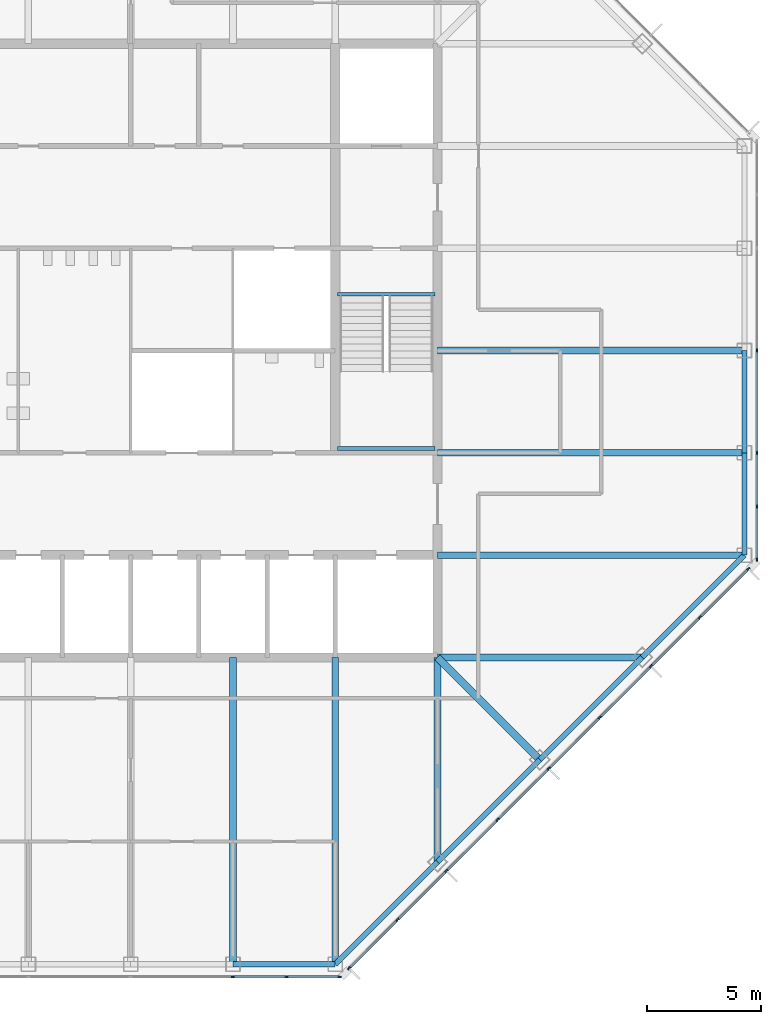
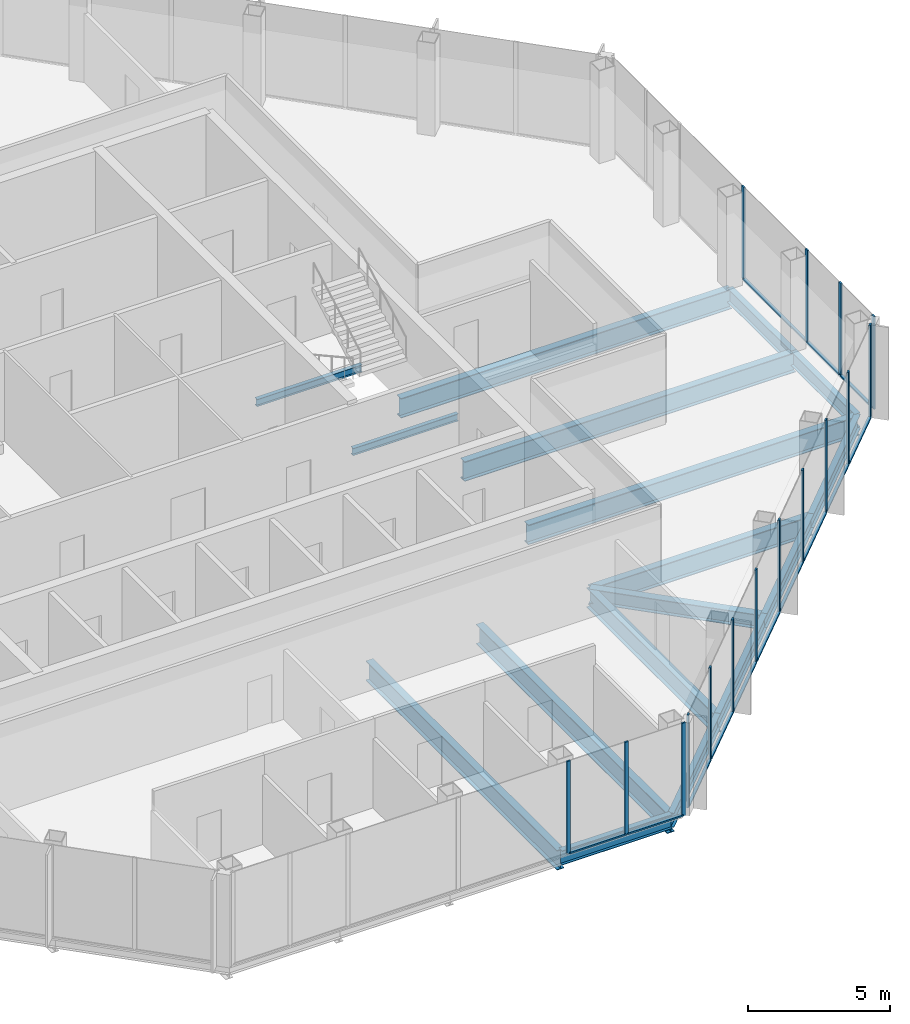
# One storey, part 4 of 14: 29 members, 17 beams, 3 elements without a shape of their own.
"""IFC4 building model written with IfcOpenShell, lengths in metres."""

from ifc_helpers import new_model, si_unit, direction, frame, origin, origin_2d, place, context, subcontext, project, spatial, rectangle, i_section, extrude, material, material_profile, profile_set, type_object, element, aggregate, save


model = new_model("IFC4")

# Units and contexts
model_context = context("Model", 3, precision=1e-05, world=origin(), true_north=direction((0.0, 1.0)))
body_context = subcontext(model_context, "Body", "Model", "MODEL_VIEW")
ifc_project = project(units=[si_unit("LENGTHUNIT", "METRE"), si_unit("AREAUNIT", "SQUARE_METRE"), si_unit("VOLUMEUNIT", "CUBIC_METRE"), si_unit("PLANEANGLEUNIT", "RADIAN"), si_unit("MASSUNIT", "GRAM", prefix="KILO")], contexts=[model_context])

# Site, building, storey
site_placement = place(None, origin())
site = spatial("IfcSite", under=ifc_project, at=site_placement, CompositionType="ELEMENT")
building_placement = place(site_placement, origin())
building = spatial("IfcBuilding", under=site, at=building_placement, Name="Corais Broadcast Tower", CompositionType="ELEMENT")
storey_placement = place(building_placement, frame((0.0, 0.0, 250.60009765625)))
storey = spatial("IfcBuildingStorey", under=building, at=storey_placement, Name="L58", CompositionType="ELEMENT", Elevation=250.60009765625)

# Beams
ifc_material_1 = material(Name="Steel ASTM A572 Grade 50", Category="steel")
ifc_material_profile_1 = material_profile(ifc_material_1, i_section(OverallWidth=0.323974609375, OverallDepth=0.611083984375, WebThickness=0.0126953125, FlangeThickness=0.01904296875, at=origin_2d()), Name="W610x155")
ifc_profile_set_1 = profile_set([ifc_material_profile_1], Name="Steel ASTM A572 Grade 50")
beam_type_1 = type_object("IfcBeamType", Name="Corner diagonal W610x155", PredefinedType="BEAM", material=ifc_profile_set_1)
beam_1_placement = place(storey_placement, frame((45.0, 9.0, -0.465576171875), z_axis=(-0.707106781187, 0.707106781187, 0.0), x_axis=(-0.707106781187, -0.707106781187, 0.0)))
element("IfcBeam", 1, at=beam_1_placement, inside=storey, type_object=beam_type_1, Name="B6 C/13 to D/12", PredefinedType="BEAM", context=body_context, shape_type="SweptSolid", body=[
    extrude(i_section(OverallWidth=0.323974609375, OverallDepth=0.611083984375, WebThickness=0.0126953125, FlangeThickness=0.01904296875, at=origin_2d()), origin(), (0.0, 0.0, 1.0), 6.364013671875),
])
ifc_material_2 = material(Name="Steel ASTM A572 Grade 50", Category="steel")
ifc_material_profile_2 = material_profile(ifc_material_2, i_section(OverallWidth=0.2939453125, OverallDepth=0.85107421875, WebThickness=0.01611328125, FlangeThickness=0.02685546875, at=origin_2d()), Name="W840x226")
ifc_profile_set_2 = profile_set([ifc_material_profile_2], Name="Steel ASTM A572 Grade 50")
beam_type_2 = type_object("IfcBeamType", Name="Floor beam W840x226", PredefinedType="BEAM", material=ifc_profile_set_2)
for number, where, z_axis, x_axis, name in (
    (2, (31.5, 0.0, -0.585693359375), (0.0, 1.0, 0.0), (-1.0, 0.0, 0.0), "B1 A/10 to D/10"),
    (3, (36.0, 0.0, -0.585693359375), (0.0, 1.0, 0.0), (-1.0, 0.0, 0.0), "B1 A/11 to D/11"),
):
    element("IfcBeam", number, at=place(storey_placement, frame(where, z_axis=z_axis, x_axis=x_axis)), inside=storey, type_object=beam_type_2, Name=name, PredefinedType="BEAM", context=body_context, shape_type="SweptSolid", body=[
        extrude(i_section(OverallWidth=0.2939453125, OverallDepth=0.85107421875, WebThickness=0.01611328125, FlangeThickness=0.02685546875, at=origin_2d()), origin(), (0.0, 0.0, 1.0), 13.5),
    ])
for number, where, z_axis, x_axis, name in (
    (4, (40.5, 4.5, -0.585693359375), (0.0, 1.0, 0.0), (-1.0, 0.0, 0.0), "B1 B/12 to D/12"),
    (5, (49.5, 13.5, -0.585693359375), (-1.0, 0.0, 0.0), (0.0, -1.0, 0.0), "B1 D/14 to D/12"),
):
    element("IfcBeam", number, at=place(storey_placement, frame(where, z_axis=z_axis, x_axis=x_axis)), inside=storey, type_object=beam_type_2, Name=name, PredefinedType="BEAM", context=body_context, shape_type="SweptSolid", body=[
        extrude(i_section(OverallWidth=0.2939453125, OverallDepth=0.85107421875, WebThickness=0.01611328125, FlangeThickness=0.02685546875, at=origin_2d()), origin(), (0.0, 0.0, 1.0), 9.0),
    ])
for number, where, z_axis, x_axis, name in (
    (6, (54.0, 18.0, -0.585693359375), (-1.0, 0.0, 0.0), (0.0, -1.0, 0.0), "B1 E/15 to E/12"),
    (7, (54.0, 22.5, -0.585693359375), (-1.0, 0.0, 0.0), (0.0, -1.0, 0.0), "B1 F/15 to F/12"),
    (8, (54.0, 27.0, -0.585693359375), (-1.0, 0.0, 0.0), (0.0, -1.0, 0.0), "B1 G/15 to G/12"),
):
    element("IfcBeam", number, at=place(storey_placement, frame(where, z_axis=z_axis, x_axis=x_axis)), inside=storey, type_object=beam_type_2, Name=name, PredefinedType="BEAM", context=body_context, shape_type="SweptSolid", body=[
        extrude(i_section(OverallWidth=0.2939453125, OverallDepth=0.85107421875, WebThickness=0.01611328125, FlangeThickness=0.02685546875, at=origin_2d()), origin(), (0.0, 0.0, 1.0), 13.5),
    ])
ifc_material_3 = material(Name="Steel ASTM A572 Grade 50", Category="steel")
ifc_material_profile_3 = material_profile(ifc_material_3, i_section(OverallWidth=0.1650390625, OverallDepth=0.31005859375, WebThickness=0.005859375, FlangeThickness=0.009765625, at=origin_2d()), Name="W310x38.7")
ifc_profile_set_3 = profile_set([ifc_material_profile_3], Name="Steel ASTM A572 Grade 50")
beam_type_3 = type_object("IfcBeamType", Name="Landing trimmer W310x38.7", PredefinedType="BEAM", material=ifc_profile_set_3)
for number, where, z_axis, x_axis, name in (
    (9, (36.10009765625, 29.47509765625, -0.35498046875), (1.0, 0.0, 0.0), (0.0, 1.0, 0.0), "LT1 stair B landing trimmer L58"),
    (10, (36.10009765625, 22.68994140625, 1.64501953125), (1.0, 0.0, 0.0), (0.0, 1.0, 0.0), "LT1 stair B half landing trimmer L58"),
):
    element("IfcBeam", number, at=place(storey_placement, frame(where, z_axis=z_axis, x_axis=x_axis)), inside=storey, type_object=beam_type_3, Name=name, PredefinedType="BEAM", context=body_context, shape_type="SweptSolid", body=[
        extrude(i_section(OverallWidth=0.1650390625, OverallDepth=0.31005859375, WebThickness=0.005859375, FlangeThickness=0.009765625, at=origin_2d()), origin(), (0.0, 0.0, 1.0), 4.2998046875),
    ])

# Curtain wall, members
ifc_material_4 = material(Name="Aluminium and glass", Category="aluminium")
curtain_wall_type = type_object("IfcCurtainWallType", Name="Unitised fritted curtain wall CW3", PredefinedType="NOTDEFINED", material=ifc_material_4)
curtain_wall_1_placement = place(storey_placement, origin())
curtain_wall_1 = element("IfcCurtainWall", 11, at=curtain_wall_1_placement, inside=storey, type_object=curtain_wall_type, Name="CW3 curtain wall L58 6", PredefinedType="NOTDEFINED")
ifc_material_5 = material(Name="Aluminium 6063-T6", Category="aluminium")
ifc_material_profile_4 = material_profile(ifc_material_5, rectangle(XDim=0.06494140625, YDim=0.159912109375, at=origin_2d()), Name="Mullion CW3 65x160")
ifc_profile_set_4 = profile_set([ifc_material_profile_4], Name="Aluminium 6063-T6")
member_type_1 = type_object("IfcMemberType", Name="Mullion CW3 65x160", PredefinedType="MULLION", material=ifc_profile_set_4)
member_1_placement = place(storey_placement, frame((54.550048828125, 27.0, 0.0), z_axis=(0.0, 0.0, 1.0), x_axis=(1.0, 0.0, 0.0)))
member_1 = element("IfcMember", 12, at=member_1_placement, type_object=member_type_1, Name="CW3 mullion 4", PredefinedType="MULLION", context=body_context, shape_type="SweptSolid", body=[
    extrude(rectangle(XDim=0.06494140625, YDim=0.159912109375, at=origin_2d()), origin(), (0.0, 0.0, 1.0), 4.0),
])
member_2_placement = place(storey_placement, frame((54.550048828125, 22.5, 0.0), z_axis=(0.0, 0.0, 1.0), x_axis=(1.0, 0.0, 0.0)))
member_2 = element("IfcMember", 13, at=member_2_placement, type_object=member_type_1, Name="CW3 mullion 5", PredefinedType="MULLION", context=body_context, shape_type="SweptSolid", body=[
    extrude(rectangle(XDim=0.06494140625, YDim=0.159912109375, at=origin_2d()), origin(), (0.0, 0.0, 1.0), 4.0),
])
member_3_placement = place(storey_placement, frame((54.550048828125, 20.135986328125, 0.0), z_axis=(0.0, 0.0, 1.0), x_axis=(1.0, 0.0, 0.0)))
member_3 = element("IfcMember", 14, at=member_3_placement, type_object=member_type_1, Name="CW3 mullion 6", PredefinedType="MULLION", context=body_context, shape_type="SweptSolid", body=[
    extrude(rectangle(XDim=0.06494140625, YDim=0.159912109375, at=origin_2d()), origin(), (0.0, 0.0, 1.0), 4.0),
])
member_4_placement = place(storey_placement, frame((54.550048828125, 17.8046875, 0.0), z_axis=(0.0, 0.0, 1.0), x_axis=(1.0, 0.0, 0.0)))
member_4 = element("IfcMember", 15, at=member_4_placement, type_object=member_type_1, Name="CW3 mullion 7", PredefinedType="MULLION", context=body_context, shape_type="SweptSolid", body=[
    extrude(rectangle(XDim=0.06494140625, YDim=0.159912109375, at=origin_2d()), origin(), (0.0, 0.0, 1.0), 4.0),
])

curtain_wall_2_placement = place(storey_placement, origin())
curtain_wall_2 = element("IfcCurtainWall", 16, at=curtain_wall_2_placement, inside=storey, type_object=curtain_wall_type, Name="CW3 curtain wall L58 7", PredefinedType="NOTDEFINED")
member_5_placement = place(storey_placement, frame((54.17333984375, 17.3955078125, 0.0), z_axis=(0.0, 0.0, 1.0), x_axis=(0.707106781187, -0.707106781187, 0.0)))
member_5 = element("IfcMember", 17, at=member_5_placement, type_object=member_type_1, Name="CW3 mullion 1", PredefinedType="MULLION", context=body_context, shape_type="SweptSolid", body=[
    extrude(rectangle(XDim=0.06494140625, YDim=0.159912109375, at=origin_2d()), origin(), (0.0, 0.0, 1.0), 4.0),
])
member_6_placement = place(storey_placement, frame((52.042724609375, 15.264892578125, 0.0), z_axis=(0.0, 0.0, 1.0), x_axis=(0.707106781187, -0.707106781187, 0.0)))
member_6 = element("IfcMember", 18, at=member_6_placement, type_object=member_type_1, Name="CW3 mullion 2", PredefinedType="MULLION", context=body_context, shape_type="SweptSolid", body=[
    extrude(rectangle(XDim=0.06494140625, YDim=0.159912109375, at=origin_2d()), origin(), (0.0, 0.0, 1.0), 4.0),
])
member_7_placement = place(storey_placement, frame((49.888916015625, 13.111083984375, 0.0), z_axis=(0.0, 0.0, 1.0), x_axis=(0.707106781187, -0.707106781187, 0.0)))
member_7 = element("IfcMember", 19, at=member_7_placement, type_object=member_type_1, Name="CW3 mullion 3", PredefinedType="MULLION", context=body_context, shape_type="SweptSolid", body=[
    extrude(rectangle(XDim=0.06494140625, YDim=0.159912109375, at=origin_2d()), origin(), (0.0, 0.0, 1.0), 4.0),
])
member_8_placement = place(storey_placement, frame((47.638916015625, 10.861083984375, 0.0), z_axis=(0.0, 0.0, 1.0), x_axis=(0.707106781187, -0.707106781187, 0.0)))
member_8 = element("IfcMember", 20, at=member_8_placement, type_object=member_type_1, Name="CW3 mullion 4", PredefinedType="MULLION", context=body_context, shape_type="SweptSolid", body=[
    extrude(rectangle(XDim=0.06494140625, YDim=0.159912109375, at=origin_2d()), origin(), (0.0, 0.0, 1.0), 4.0),
])
member_9_placement = place(storey_placement, frame((45.388916015625, 8.611083984375, 0.0), z_axis=(0.0, 0.0, 1.0), x_axis=(0.707106781187, -0.707106781187, 0.0)))
member_9 = element("IfcMember", 21, at=member_9_placement, type_object=member_type_1, Name="CW3 mullion 5", PredefinedType="MULLION", context=body_context, shape_type="SweptSolid", body=[
    extrude(rectangle(XDim=0.06494140625, YDim=0.159912109375, at=origin_2d()), origin(), (0.0, 0.0, 1.0), 4.0),
])
member_10_placement = place(storey_placement, frame((43.138916015625, 6.361083984375, 0.0), z_axis=(0.0, 0.0, 1.0), x_axis=(0.707106781187, -0.707106781187, 0.0)))
member_10 = element("IfcMember", 22, at=member_10_placement, type_object=member_type_1, Name="CW3 mullion 6", PredefinedType="MULLION", context=body_context, shape_type="SweptSolid", body=[
    extrude(rectangle(XDim=0.06494140625, YDim=0.159912109375, at=origin_2d()), origin(), (0.0, 0.0, 1.0), 4.0),
])
member_11_placement = place(storey_placement, frame((40.888916015625, 4.111083984375, 0.0), z_axis=(0.0, 0.0, 1.0), x_axis=(0.707106781187, -0.707106781187, 0.0)))
member_11 = element("IfcMember", 23, at=member_11_placement, type_object=member_type_1, Name="CW3 mullion 7", PredefinedType="MULLION", context=body_context, shape_type="SweptSolid", body=[
    extrude(rectangle(XDim=0.06494140625, YDim=0.159912109375, at=origin_2d()), origin(), (0.0, 0.0, 1.0), 4.0),
])
member_12_placement = place(storey_placement, frame((38.735107421875, 1.957275390625, 0.0), z_axis=(0.0, 0.0, 1.0), x_axis=(0.707106781187, -0.707106781187, 0.0)))
member_12 = element("IfcMember", 24, at=member_12_placement, type_object=member_type_1, Name="CW3 mullion 8", PredefinedType="MULLION", context=body_context, shape_type="SweptSolid", body=[
    extrude(rectangle(XDim=0.06494140625, YDim=0.159912109375, at=origin_2d()), origin(), (0.0, 0.0, 1.0), 4.0),
])
member_13_placement = place(storey_placement, frame((36.6044921875, -0.17333984375, 0.0), z_axis=(0.0, 0.0, 1.0), x_axis=(0.707106781187, -0.707106781187, 0.0)))
member_13 = element("IfcMember", 25, at=member_13_placement, type_object=member_type_1, Name="CW3 mullion 9", PredefinedType="MULLION", context=body_context, shape_type="SweptSolid", body=[
    extrude(rectangle(XDim=0.06494140625, YDim=0.159912109375, at=origin_2d()), origin(), (0.0, 0.0, 1.0), 4.0),
])

curtain_wall_3_placement = place(storey_placement, origin())
curtain_wall_3 = element("IfcCurtainWall", 26, at=curtain_wall_3_placement, inside=storey, type_object=curtain_wall_type, Name="CW3 curtain wall L58 8", PredefinedType="NOTDEFINED")
member_14_placement = place(storey_placement, frame((36.1953125, -0.550048828125, 0.0), z_axis=(0.0, 0.0, 1.0), x_axis=(0.0, -1.0, 0.0)))
member_14 = element("IfcMember", 27, at=member_14_placement, type_object=member_type_1, Name="CW3 mullion 1", PredefinedType="MULLION", context=body_context, shape_type="SweptSolid", body=[
    extrude(rectangle(XDim=0.06494140625, YDim=0.159912109375, at=origin_2d()), origin(), (0.0, 0.0, 1.0), 4.0),
])
member_15_placement = place(storey_placement, frame((33.864013671875, -0.550048828125, 0.0), z_axis=(0.0, 0.0, 1.0), x_axis=(0.0, -1.0, 0.0)))
member_15 = element("IfcMember", 28, at=member_15_placement, type_object=member_type_1, Name="CW3 mullion 2", PredefinedType="MULLION", context=body_context, shape_type="SweptSolid", body=[
    extrude(rectangle(XDim=0.06494140625, YDim=0.159912109375, at=origin_2d()), origin(), (0.0, 0.0, 1.0), 4.0),
])
member_16_placement = place(storey_placement, frame((31.5, -0.550048828125, 0.0), z_axis=(0.0, 0.0, 1.0), x_axis=(0.0, -1.0, 0.0)))
member_16 = element("IfcMember", 29, at=member_16_placement, type_object=member_type_1, Name="CW3 mullion 3", PredefinedType="MULLION", context=body_context, shape_type="SweptSolid", body=[
    extrude(rectangle(XDim=0.06494140625, YDim=0.159912109375, at=origin_2d()), origin(), (0.0, 0.0, 1.0), 4.0),
])

# Beams
ifc_material_6 = material(Name="Steel ASTM A572 Grade 50", Category="steel")
ifc_material_profile_5 = material_profile(ifc_material_6, i_section(OverallWidth=0.22998046875, OverallDepth=0.616943359375, WebThickness=0.01318359375, FlangeThickness=0.022216796875, at=origin_2d()), Name="W610x140")
ifc_profile_set_5 = profile_set([ifc_material_profile_5], Name="Steel ASTM A572 Grade 50")
beam_type_4 = type_object("IfcBeamType", Name="Spandrel W610x140", PredefinedType="BEAM", material=ifc_profile_set_5)
beam_2_placement = place(storey_placement, frame((31.5, 0.0, -0.468505859375), z_axis=(1.0, 0.0, 0.0), x_axis=(0.0, 1.0, 0.0)))
element("IfcBeam", 30, at=beam_2_placement, inside=storey, type_object=beam_type_4, Name="SB3 A/10 to A/11", PredefinedType="BEAM", context=body_context, shape_type="SweptSolid", body=[
    extrude(i_section(OverallWidth=0.22998046875, OverallDepth=0.616943359375, WebThickness=0.01318359375, FlangeThickness=0.022216796875, at=origin_2d()), origin(), (0.0, 0.0, 1.0), 4.5),
])
for number, where, z_axis, x_axis, name in (
    (31, (36.0, 0.0, -0.468505859375), (0.707106781187, 0.707106781187, 0.0), (-0.707106781187, 0.707106781187, 0.0), "SB3 A/11 to B/12"),
    (32, (40.5, 4.5, -0.468505859375), (0.707106781187, 0.707106781187, 0.0), (-0.707106781187, 0.707106781187, 0.0), "SB3 B/12 to C/13"),
    (33, (45.0, 9.0, -0.468505859375), (0.707106781187, 0.707106781187, 0.0), (-0.707106781187, 0.707106781187, 0.0), "SB3 C/13 to D/14"),
    (34, (49.5, 13.5, -0.468505859375), (0.707106781187, 0.707106781187, 0.0), (-0.707106781187, 0.707106781187, 0.0), "SB3 D/14 to E/15"),
):
    element("IfcBeam", number, at=place(storey_placement, frame(where, z_axis=z_axis, x_axis=x_axis)), inside=storey, type_object=beam_type_4, Name=name, PredefinedType="BEAM", context=body_context, shape_type="SweptSolid", body=[
        extrude(i_section(OverallWidth=0.22998046875, OverallDepth=0.616943359375, WebThickness=0.01318359375, FlangeThickness=0.022216796875, at=origin_2d()), origin(), (0.0, 0.0, 1.0), 6.364013671875),
    ])
for number, where, z_axis, x_axis, name in (
    (35, (54.0, 18.0, -0.468505859375), (0.0, 1.0, 0.0), (-1.0, 0.0, 0.0), "SB3 E/15 to F/15"),
    (36, (54.0, 22.5, -0.468505859375), (0.0, 1.0, 0.0), (-1.0, 0.0, 0.0), "SB3 F/15 to G/15"),
):
    element("IfcBeam", number, at=place(storey_placement, frame(where, z_axis=z_axis, x_axis=x_axis)), inside=storey, type_object=beam_type_4, Name=name, PredefinedType="BEAM", context=body_context, shape_type="SweptSolid", body=[
        extrude(i_section(OverallWidth=0.22998046875, OverallDepth=0.616943359375, WebThickness=0.01318359375, FlangeThickness=0.022216796875, at=origin_2d()), origin(), (0.0, 0.0, 1.0), 4.5),
    ])

# Member
ifc_material_7 = material(Name="Aluminium 6063-T6", Category="aluminium")
ifc_material_profile_6 = material_profile(ifc_material_7, rectangle(XDim=0.1201171875, YDim=0.06494140625, at=origin_2d()), Name="Transom CW3 65x120")
ifc_profile_set_6 = profile_set([ifc_material_profile_6], Name="Aluminium 6063-T6")
member_type_2 = type_object("IfcMemberType", Name="Transom CW3 65x120", PredefinedType="USERDEFINED", material=ifc_profile_set_6)
member_17_placement = place(storey_placement, frame((54.550048828125, 26.967529296875, 0.032470703125), z_axis=(0.0, -1.0, 0.0), x_axis=(1.0, 0.0, 0.0)))
member_17 = element("IfcMember", 37, at=member_17_placement, type_object=member_type_2, Name="CW3 transom 4.1", ObjectType="TRANSOM", PredefinedType="USERDEFINED", context=body_context, shape_type="SweptSolid", body=[
    extrude(rectangle(XDim=0.1201171875, YDim=0.06494140625, at=origin_2d()), origin(), (0.0, 0.0, 1.0), 4.43505859375),
])

member_18_placement = place(storey_placement, frame((54.550048828125, 22.467529296875, 0.032470703125), z_axis=(0.0, -1.0, 0.0), x_axis=(1.0, 0.0, 0.0)))
member_18 = element("IfcMember", 38, at=member_18_placement, type_object=member_type_2, Name="CW3 transom 5.1", ObjectType="TRANSOM", PredefinedType="USERDEFINED", context=body_context, shape_type="SweptSolid", body=[
    extrude(rectangle(XDim=0.1201171875, YDim=0.06494140625, at=origin_2d()), origin(), (0.0, 0.0, 1.0), 2.298828125),
])

member_19_placement = place(storey_placement, frame((54.550048828125, 20.103515625, 0.032470703125), z_axis=(0.0, -1.0, 0.0), x_axis=(1.0, 0.0, 0.0)))
member_19 = element("IfcMember", 39, at=member_19_placement, type_object=member_type_2, Name="CW3 transom 6.1", ObjectType="TRANSOM", PredefinedType="USERDEFINED", context=body_context, shape_type="SweptSolid", body=[
    extrude(rectangle(XDim=0.1201171875, YDim=0.06494140625, at=origin_2d()), origin(), (0.0, 0.0, 1.0), 2.266357421875),
])

aggregate(curtain_wall_1, [member_1, member_2, member_3, member_4, member_17, member_18, member_19])

member_20_placement = place(storey_placement, frame((54.150390625, 17.37255859375, 0.032470703125), z_axis=(-0.707106781187, -0.707106781187, 0.0), x_axis=(0.707106781187, -0.707106781187, 0.0)))
member_20 = element("IfcMember", 40, at=member_20_placement, type_object=member_type_2, Name="CW3 transom 1.1", ObjectType="TRANSOM", PredefinedType="USERDEFINED", context=body_context, shape_type="SweptSolid", body=[
    extrude(rectangle(XDim=0.1201171875, YDim=0.06494140625, at=origin_2d()), origin(), (0.0, 0.0, 1.0), 2.9482421875),
])

member_21_placement = place(storey_placement, frame((52.019775390625, 15.241943359375, 0.032470703125), z_axis=(-0.707106781187, -0.707106781187, 0.0), x_axis=(0.707106781187, -0.707106781187, 0.0)))
member_21 = element("IfcMember", 41, at=member_21_placement, type_object=member_type_2, Name="CW3 transom 2.1", ObjectType="TRANSOM", PredefinedType="USERDEFINED", context=body_context, shape_type="SweptSolid", body=[
    extrude(rectangle(XDim=0.1201171875, YDim=0.06494140625, at=origin_2d()), origin(), (0.0, 0.0, 1.0), 2.98095703125),
])

member_22_placement = place(storey_placement, frame((49.865966796875, 13.088134765625, 0.032470703125), z_axis=(-0.707106781187, -0.707106781187, 0.0), x_axis=(0.707106781187, -0.707106781187, 0.0)))
member_22 = element("IfcMember", 42, at=member_22_placement, type_object=member_type_2, Name="CW3 transom 3.1", ObjectType="TRANSOM", PredefinedType="USERDEFINED", context=body_context, shape_type="SweptSolid", body=[
    extrude(rectangle(XDim=0.1201171875, YDim=0.06494140625, at=origin_2d()), origin(), (0.0, 0.0, 1.0), 3.1171875),
])

member_23_placement = place(storey_placement, frame((47.615966796875, 10.838134765625, 0.032470703125), z_axis=(-0.707106781187, -0.707106781187, 0.0), x_axis=(0.707106781187, -0.707106781187, 0.0)))
member_23 = element("IfcMember", 43, at=member_23_placement, type_object=member_type_2, Name="CW3 transom 4.1", ObjectType="TRANSOM", PredefinedType="USERDEFINED", context=body_context, shape_type="SweptSolid", body=[
    extrude(rectangle(XDim=0.1201171875, YDim=0.06494140625, at=origin_2d()), origin(), (0.0, 0.0, 1.0), 3.1171875),
])

member_24_placement = place(storey_placement, frame((45.365966796875, 8.588134765625, 0.032470703125), z_axis=(-0.707106781187, -0.707106781187, 0.0), x_axis=(0.707106781187, -0.707106781187, 0.0)))
member_24 = element("IfcMember", 44, at=member_24_placement, type_object=member_type_2, Name="CW3 transom 5.1", ObjectType="TRANSOM", PredefinedType="USERDEFINED", context=body_context, shape_type="SweptSolid", body=[
    extrude(rectangle(XDim=0.1201171875, YDim=0.06494140625, at=origin_2d()), origin(), (0.0, 0.0, 1.0), 3.1171875),
])

member_25_placement = place(storey_placement, frame((43.115966796875, 6.338134765625, 0.032470703125), z_axis=(-0.707106781187, -0.707106781187, 0.0), x_axis=(0.707106781187, -0.707106781187, 0.0)))
member_25 = element("IfcMember", 45, at=member_25_placement, type_object=member_type_2, Name="CW3 transom 6.1", ObjectType="TRANSOM", PredefinedType="USERDEFINED", context=body_context, shape_type="SweptSolid", body=[
    extrude(rectangle(XDim=0.1201171875, YDim=0.06494140625, at=origin_2d()), origin(), (0.0, 0.0, 1.0), 3.1171875),
])

member_26_placement = place(storey_placement, frame((40.865966796875, 4.088134765625, 0.032470703125), z_axis=(-0.70714773134, -0.707065828661, 0.0), x_axis=(0.707065828661, -0.70714773134, 0.0)))
member_26 = element("IfcMember", 46, at=member_26_placement, type_object=member_type_2, Name="CW3 transom 7.1", ObjectType="TRANSOM", PredefinedType="USERDEFINED", context=body_context, shape_type="SweptSolid", body=[
    extrude(rectangle(XDim=0.1201171875, YDim=0.06494140625, at=origin_2d()), origin(), (0.0, 0.0, 1.0), 2.98095703125),
])

member_27_placement = place(storey_placement, frame((38.712158203125, 1.934326171875, 0.032470703125), z_axis=(-0.707106781187, -0.707106781187, 0.0), x_axis=(0.707106781187, -0.707106781187, 0.0)))
member_27 = element("IfcMember", 47, at=member_27_placement, type_object=member_type_2, Name="CW3 transom 8.1", ObjectType="TRANSOM", PredefinedType="USERDEFINED", context=body_context, shape_type="SweptSolid", body=[
    extrude(rectangle(XDim=0.1201171875, YDim=0.06494140625, at=origin_2d()), origin(), (0.0, 0.0, 1.0), 2.9482421875),
])

aggregate(curtain_wall_2, [member_5, member_6, member_7, member_8, member_9, member_10, member_11, member_12, member_13, member_20, member_21, member_22, member_23, member_24, member_25, member_26, member_27])

member_28_placement = place(storey_placement, frame((36.162841796875, -0.550048828125, 0.032470703125), z_axis=(-1.0, 0.0, 0.0), x_axis=(0.0, -1.0, 0.0)))
member_28 = element("IfcMember", 48, at=member_28_placement, type_object=member_type_2, Name="CW3 transom 1.1", ObjectType="TRANSOM", PredefinedType="USERDEFINED", context=body_context, shape_type="SweptSolid", body=[
    extrude(rectangle(XDim=0.1201171875, YDim=0.06494140625, at=origin_2d()), origin(), (0.0, 0.0, 1.0), 2.266357421875),
])

member_29_placement = place(storey_placement, frame((33.831298828125, -0.550048828125, 0.032470703125), z_axis=(-1.0, 0.0, 0.0), x_axis=(0.0, -1.0, 0.0)))
member_29 = element("IfcMember", 49, at=member_29_placement, type_object=member_type_2, Name="CW3 transom 2.1", ObjectType="TRANSOM", PredefinedType="USERDEFINED", context=body_context, shape_type="SweptSolid", body=[
    extrude(rectangle(XDim=0.1201171875, YDim=0.06494140625, at=origin_2d()), origin(), (0.0, 0.0, 1.0), 2.298828125),
])

aggregate(curtain_wall_3, [member_14, member_15, member_16, member_28, member_29])

save(model, "model.ifc")
